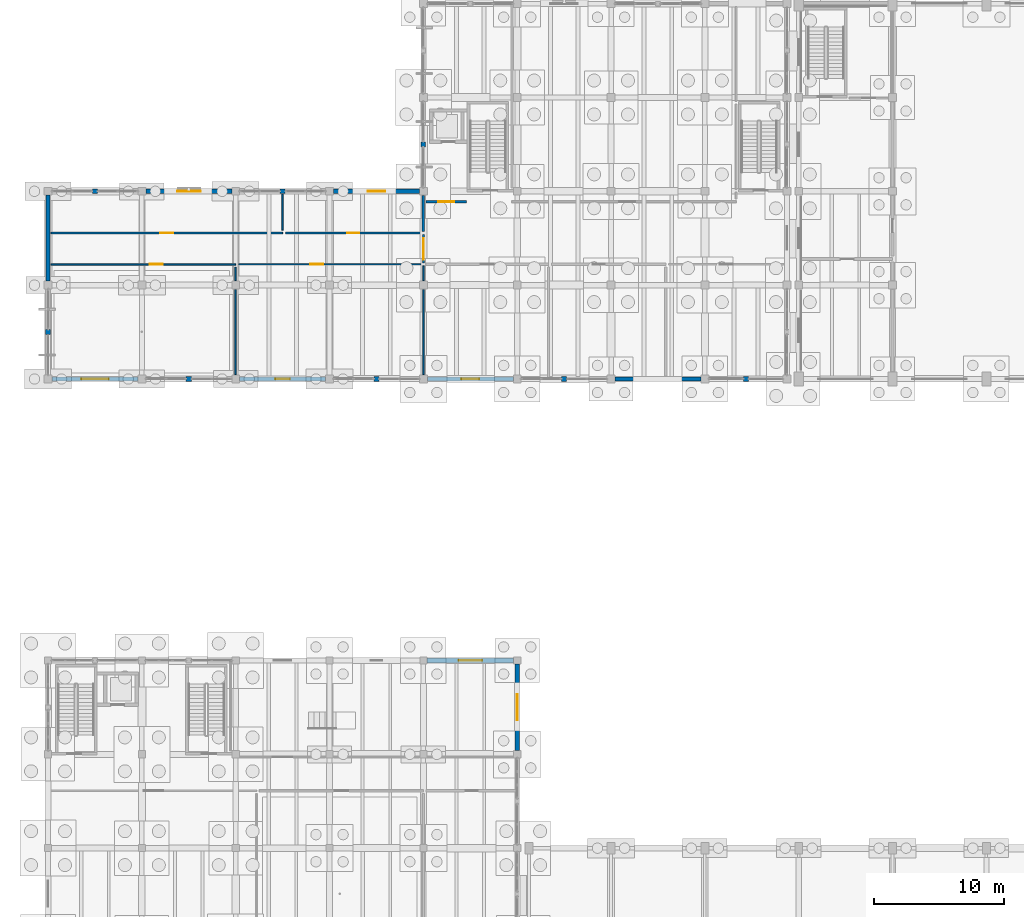
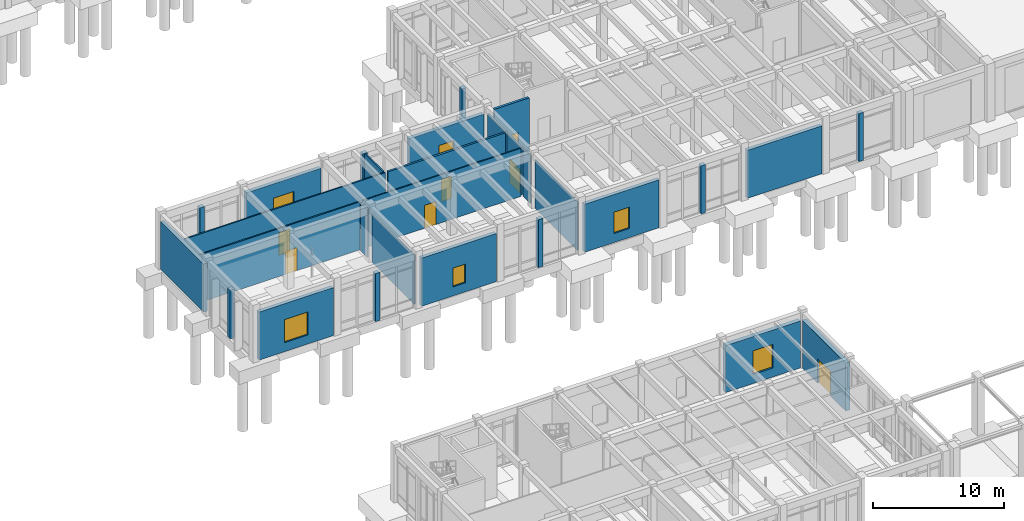
# One storey, part 63 of 93: 29 walls, 7 doors, 6 windows, 13 openings.
"""IFC4 building model written with IfcOpenShell, lengths in metres."""

from ifc_helpers import new_model, si_unit, direction, frame, frame_2d, origin, place, context, subcontext, project, spatial, rectangle, extrude, material, layer, layer_set, type_object, element, fill, save


model = new_model("IFC4")

# Units and contexts
model_context = context("Model", 3, precision=1e-05, world=origin(), true_north=direction((0.0, 1.0)))
body_context = subcontext(model_context, "Body", "Model", "MODEL_VIEW")
ifc_project = project(units=[si_unit("LENGTHUNIT", "METRE"), si_unit("AREAUNIT", "SQUARE_METRE"), si_unit("VOLUMEUNIT", "CUBIC_METRE"), si_unit("PLANEANGLEUNIT", "RADIAN"), si_unit("MASSUNIT", "GRAM", prefix="KILO")], contexts=[model_context])

# Site, building, storey
site_placement = place(None, origin())
site = spatial("IfcSite", under=ifc_project, at=site_placement, CompositionType="ELEMENT")
building_placement = place(site_placement, origin())
building = spatial("IfcBuilding", under=site, at=building_placement, Name="Koriwan Promenade Central Fire Station", CompositionType="ELEMENT")
storey_placement = place(building_placement, origin())
storey = spatial("IfcBuildingStorey", under=building, at=storey_placement, Name="L00", CompositionType="ELEMENT", Elevation=0.0)

# Wall, opening, door
ifc_material_1 = material(Name="Natural sillar sandstone ashlar", Category="masonry")
ifc_layer_1 = layer(ifc_material_1, 0.360107421875, Name="Natural sillar sandstone ashlar")
ifc_layer_set_1 = layer_set([ifc_layer_1], Name="Natural sillar sandstone ashlar")
wall_type_1 = type_object("IfcWallType", Name="ExtWall_SillarBase_360", PredefinedType="SOLIDWALL", material=ifc_layer_set_1)
wall_1_placement = place(storey_placement, frame((36.0, 14.675048828125, 0.0), z_axis=(0.0, 0.0, 1.0), x_axis=(0.0, 1.0, 0.0)))
wall_1 = element("IfcWall", 1, at=wall_1_placement, inside=storey, type_object=wall_type_1, Name="V3 L00 exterior wall 113", PredefinedType="SOLIDWALL", context=body_context, shape_type="SweptSolid", body=[
    extrude(rectangle(XDim=6.64990234375, YDim=0.360107421875, at=frame_2d((3.324951171875, 0.0))), origin(), (0.0, 0.0, 1.0), 4.489990234375),
])
opening_1_placement = place(wall_1_placement, frame((2.324951171875, 0.0, 0.0)))
opening_1 = element("IfcOpeningElement", 2, at=opening_1_placement, cuts=wall_1, Name="Opening ED-018", PredefinedType="OPENING", context=body_context, shape_type="SweptSolid", body=[
    extrude(rectangle(XDim=2.0, YDim=2.300048828125, at=frame_2d((1.0, 1.14990234375))), frame((0.0, 0.19189453125, 0.0), z_axis=(0.0, -1.0, 0.0), x_axis=(1.0, 0.0, 0.0)), (0.0, 0.0, 1.0), 0.384033203125),
])
ifc_material_2 = material(Name="Aluminium EN AW-6063-T6 and laminated safety glass", Category="aluminium")
door_type_1 = type_object("IfcDoorType", Name="ExitDoorDouble_2000x2300", OperationType="DOUBLE_SWING_LEFT", PredefinedType="DOOR", material=ifc_material_2)
door_1_placement = place(opening_1_placement, frame((2.0, 0.0, 0.0), z_axis=(0.0, 0.0, 1.0), x_axis=(-1.0, 0.0, 0.0)))
door_1 = element("IfcDoor", 3, at=door_1_placement, inside=storey, type_object=door_type_1, Name="V3 Final Pedestrian Exit Door ED-018", OperationType="DOUBLE_SWING_LEFT", OverallHeight=2.300048828125, OverallWidth=2.0, PredefinedType="DOOR", context=body_context, shape_type="SweptSolid", body=[
    extrude(rectangle(XDim=2.0, YDim=2.300048828125, at=frame_2d((1.0, 1.14990234375))), frame((0.0, 0.02490234375, 0.0), z_axis=(0.0, -1.0, 0.0), x_axis=(1.0, 0.0, 0.0)), (0.0, 0.0, 1.0), 0.050048828125),
])
fill(opening_1, door_1)

# Wall, opening, window
wall_2_placement = place(storey_placement, frame((35.72509765625, 21.60009765625, 0.0), z_axis=(0.0, 0.0, 1.0), x_axis=(-1.0, 0.0, 0.0)))
wall_2 = element("IfcWall", 4, at=wall_2_placement, inside=storey, type_object=wall_type_1, Name="V3 L00 exterior wall 114", PredefinedType="SOLIDWALL", context=body_context, shape_type="SweptSolid", body=[
    extrude(rectangle(XDim=6.650146484375, YDim=0.360107421875, at=frame_2d((3.3251953125, 0.0))), origin(), (0.0, 0.0, 1.0), 4.389892578125),
])
opening_2_placement = place(wall_2_placement, frame((2.425048828125, 0.0, 0.85009765625)))
opening_2 = element("IfcOpeningElement", 5, at=opening_2_placement, cuts=wall_2, Name="Opening W-03", PredefinedType="OPENING", context=body_context, shape_type="SweptSolid", body=[
    extrude(rectangle(XDim=1.800048828125, YDim=2.199951171875, at=frame_2d((0.89990234375, 1.10009765625))), frame((0.0, 0.19189453125, 0.0), z_axis=(0.0, -1.0, 0.0), x_axis=(1.0, 0.0, 0.0)), (0.0, 0.0, 1.0), 0.384033203125),
])
ifc_material_3 = material(Name="Solar-control low-E laminated double glazing", Category="glass")
window_type_1 = type_object("IfcWindowType", Name="Win_Jharokha_1800x2200", PartitioningType="SINGLE_PANEL", PredefinedType="WINDOW", material=ifc_material_3)
window_1_placement = place(opening_2_placement, origin())
window_1 = element("IfcWindow", 6, at=window_1_placement, inside=storey, type_object=window_type_1, Name="V3 L00 window 0047", OverallHeight=2.199951171875, OverallWidth=1.800048828125, PartitioningType="SINGLE_PANEL", PredefinedType="WINDOW", context=body_context, shape_type="SweptSolid", body=[
    extrude(rectangle(XDim=1.800048828125, YDim=2.199951171875, at=frame_2d((0.89990234375, 1.10009765625))), frame((0.0, 0.030029296875, 0.0), z_axis=(0.0, -1.0, 0.0), x_axis=(1.0, 0.0, 0.0)), (0.0, 0.0, 1.0), 0.06005859375),
])
fill(opening_2, window_1)

# Walls
wall_3_placement = place(storey_placement, frame((0.0, 46.60009765625, 0.0), z_axis=(0.0, 0.0, 1.0), x_axis=(0.0, 1.0, 0.0)))
element("IfcWall", 7, at=wall_3_placement, inside=storey, type_object=wall_type_1, Name="V4 L00 sillar facade mullion pier 153", PredefinedType="SOLIDWALL", context=body_context, shape_type="SweptSolid", body=[
    extrude(rectangle(XDim=0.39990234375, YDim=0.360107421875, at=frame_2d((0.199951171875, 0.0))), origin(), (0.0, 0.0, 1.0), 4.5400390625),
])
wall_4_placement = place(storey_placement, frame((3.39990234375, 57.60009765625, 0.0), z_axis=(0.0, 0.0, 1.0), x_axis=(1.0, 0.0, 0.0)))
element("IfcWall", 8, at=wall_4_placement, inside=storey, type_object=wall_type_1, Name="V4 L00 sillar facade mullion pier 155", PredefinedType="SOLIDWALL", context=body_context, shape_type="SweptSolid", body=[
    extrude(rectangle(XDim=0.400146484375, YDim=0.360107421875, at=frame_2d((0.2001953125, 0.0))), origin(), (0.0, 0.0, 1.0), 4.43994140625),
])
wall_5_placement = place(storey_placement, frame((17.800048828125, 57.60009765625, 0.0), z_axis=(0.0, 0.0, 1.0), x_axis=(1.0, 0.0, 0.0)))
element("IfcWall", 9, at=wall_5_placement, inside=storey, type_object=wall_type_1, Name="V4 L00 sillar facade mullion pier 157", PredefinedType="SOLIDWALL", context=body_context, shape_type="SweptSolid", body=[
    extrude(rectangle(XDim=0.39990234375, YDim=0.360107421875, at=frame_2d((0.199951171875, 0.0))), origin(), (0.0, 0.0, 1.0), 4.449951171875),
])
wall_6_placement = place(storey_placement, frame((28.800048828125, 61.0, 0.0), z_axis=(0.0, 0.0, 1.0), x_axis=(0.0, 1.0, 0.0)))
element("IfcWall", 10, at=wall_6_placement, inside=storey, type_object=wall_type_1, Name="V4 L00 sillar facade mullion pier 159", PredefinedType="SOLIDWALL", context=body_context, shape_type="SweptSolid", body=[
    extrude(rectangle(XDim=0.39990234375, YDim=0.360107421875, at=frame_2d((0.199951171875, 0.0))), origin(), (0.0, 0.0, 1.0), 4.5400390625),
])
wall_7_placement = place(storey_placement, frame((53.75, 43.199951171875, 0.0), z_axis=(0.0, 0.0, 1.0), x_axis=(-1.0, 0.0, 0.0)))
element("IfcWall", 11, at=wall_7_placement, inside=storey, type_object=wall_type_1, Name="V4 L00 sillar facade mullion pier 169", PredefinedType="SOLIDWALL", context=body_context, shape_type="SweptSolid", body=[
    extrude(rectangle(XDim=0.39990234375, YDim=0.360107421875, at=frame_2d((0.199951171875, 0.0))), origin(), (0.0, 0.0, 1.0), 4.489990234375),
])
wall_8_placement = place(storey_placement, frame((39.800048828125, 43.199951171875, 0.0), z_axis=(0.0, 0.0, 1.0), x_axis=(-1.0, 0.0, 0.0)))
element("IfcWall", 12, at=wall_8_placement, inside=storey, type_object=wall_type_1, Name="V4 L00 sillar facade mullion pier 171", PredefinedType="SOLIDWALL", context=body_context, shape_type="SweptSolid", body=[
    extrude(rectangle(XDim=0.400146484375, YDim=0.360107421875, at=frame_2d((0.2001953125, 0.0))), origin(), (0.0, 0.0, 1.0), 4.489990234375),
])
wall_9_placement = place(storey_placement, frame((25.39990234375, 43.199951171875, 0.0), z_axis=(0.0, 0.0, 1.0), x_axis=(-1.0, 0.0, 0.0)))
element("IfcWall", 13, at=wall_9_placement, inside=storey, type_object=wall_type_1, Name="V4 L00 sillar facade mullion pier 173", PredefinedType="SOLIDWALL", context=body_context, shape_type="SweptSolid", body=[
    extrude(rectangle(XDim=0.39990234375, YDim=0.360107421875, at=frame_2d((0.199951171875, 0.0))), origin(), (0.0, 0.0, 1.0), 4.5),
])
wall_10_placement = place(storey_placement, frame((11.0, 43.199951171875, 0.0), z_axis=(0.0, 0.0, 1.0), x_axis=(-1.0, 0.0, 0.0)))
element("IfcWall", 14, at=wall_10_placement, inside=storey, type_object=wall_type_1, Name="V4 L00 sillar facade mullion pier 175", PredefinedType="SOLIDWALL", context=body_context, shape_type="SweptSolid", body=[
    extrude(rectangle(XDim=0.39990234375, YDim=0.360107421875, at=frame_2d((0.199951171875, 0.0))), origin(), (0.0, 0.0, 1.0), 4.489990234375),
])
ifc_material_4 = material(Name="Precast concrete C40/50", Category="concrete")
ifc_layer_2 = layer(ifc_material_4, 0.320068359375, Name="Precast concrete C40/50")
ifc_layer_set_2 = layer_set([ifc_layer_2], Name="Precast concrete C40/50")
wall_type_2 = type_object("IfcWallType", Name="ExtWall_Terracotta_320", PredefinedType="ELEMENTEDWALL", material=ifc_layer_set_2)
wall_11_placement = place(storey_placement, frame((0.0, 50.699951171875, 0.0), z_axis=(0.0, 0.0, 1.0), x_axis=(0.0, 1.0, 0.0)))
element("IfcWall", 15, at=wall_11_placement, inside=storey, type_object=wall_type_2, Name="V4 L00 exterior wall 154", PredefinedType="ELEMENTEDWALL", context=body_context, shape_type="SweptSolid", body=[
    extrude(rectangle(XDim=6.60009765625, YDim=0.320068359375, at=frame_2d((3.300048828125, 0.0))), origin(), (0.0, 0.0, 1.0), 4.489990234375),
])

# Wall, opening, window
wall_12_placement = place(storey_placement, frame((7.5, 57.60009765625, 0.0), z_axis=(0.0, 0.0, 1.0), x_axis=(1.0, 0.0, 0.0)))
wall_12 = element("IfcWall", 16, at=wall_12_placement, inside=storey, type_object=wall_type_2, Name="V4 L00 exterior wall 156", PredefinedType="ELEMENTEDWALL", context=body_context, shape_type="SweptSolid", body=[
    extrude(rectangle(XDim=6.60009765625, YDim=0.320068359375, at=frame_2d((3.300048828125, 0.0))), origin(), (0.0, 0.0, 1.0), 4.389892578125),
])
opening_3_placement = place(wall_12_placement, frame((2.39990234375, 0.0, 0.85009765625)))
opening_3 = element("IfcOpeningElement", 17, at=opening_3_placement, cuts=wall_12, Name="Opening W-03", PredefinedType="OPENING", context=body_context, shape_type="SweptSolid", body=[
    extrude(rectangle(XDim=1.800048828125, YDim=2.199951171875, at=frame_2d((0.89990234375, 1.10009765625))), frame((0.0, 0.171875, 0.0), z_axis=(0.0, -1.0, 0.0), x_axis=(1.0, 0.0, 0.0)), (0.0, 0.0, 1.0), 0.343994140625),
])
window_2_placement = place(opening_3_placement, origin())
window_2 = element("IfcWindow", 18, at=window_2_placement, inside=storey, type_object=window_type_1, Name="V4 L00 window 0066", OverallHeight=2.199951171875, OverallWidth=1.800048828125, PartitioningType="SINGLE_PANEL", PredefinedType="WINDOW", context=body_context, shape_type="SweptSolid", body=[
    extrude(rectangle(XDim=1.800048828125, YDim=2.199951171875, at=frame_2d((0.89990234375, 1.10009765625))), frame((0.0, 0.030029296875, 0.0), z_axis=(0.0, -1.0, 0.0), x_axis=(1.0, 0.0, 0.0)), (0.0, 0.0, 1.0), 0.06005859375),
])
fill(opening_3, window_2)

wall_13_placement = place(storey_placement, frame((21.89990234375, 57.60009765625, 0.0), z_axis=(0.0, 0.0, 1.0), x_axis=(1.0, 0.0, 0.0)))
wall_13 = element("IfcWall", 19, at=wall_13_placement, inside=storey, type_object=wall_type_2, Name="V4 L00 exterior wall 158", PredefinedType="ELEMENTEDWALL", context=body_context, shape_type="SweptSolid", body=[
    extrude(rectangle(XDim=6.60009765625, YDim=0.320068359375, at=frame_2d((3.300048828125, 0.0))), origin(), (0.0, 0.0, 1.0), 4.39990234375),
])
opening_4_placement = place(wall_13_placement, frame((2.625, 0.0, 0.85009765625)))
opening_4 = element("IfcOpeningElement", 20, at=opening_4_placement, cuts=wall_13, Name="Opening W-05", PredefinedType="OPENING", context=body_context, shape_type="SweptSolid", body=[
    extrude(rectangle(XDim=1.35009765625, YDim=2.0, at=frame_2d((0.675048828125, 1.0))), frame((0.0, 0.171875, 0.0), z_axis=(0.0, -1.0, 0.0), x_axis=(1.0, 0.0, 0.0)), (0.0, 0.0, 1.0), 0.343994140625),
])
window_type_2 = type_object("IfcWindowType", Name="Win_HQ_1350x2000", PartitioningType="SINGLE_PANEL", PredefinedType="WINDOW", material=ifc_material_3)
window_3_placement = place(opening_4_placement, origin())
window_3 = element("IfcWindow", 21, at=window_3_placement, inside=storey, type_object=window_type_2, Name="V4 L00 window 0067", OverallHeight=2.0, OverallWidth=1.35009765625, PartitioningType="SINGLE_PANEL", PredefinedType="WINDOW", context=body_context, shape_type="SweptSolid", body=[
    extrude(rectangle(XDim=1.35009765625, YDim=2.0, at=frame_2d((0.675048828125, 1.0))), frame((0.0, 0.030029296875, 0.0), z_axis=(0.0, -1.0, 0.0), x_axis=(1.0, 0.0, 0.0)), (0.0, 0.0, 1.0), 0.06005859375),
])
fill(opening_4, window_3)

# Wall
wall_14_placement = place(storey_placement, frame((50.10009765625, 43.199951171875, 0.0), z_axis=(0.0, 0.0, 1.0), x_axis=(-1.0, 0.0, 0.0)))
element("IfcWall", 22, at=wall_14_placement, inside=storey, type_object=wall_type_2, Name="V4 L00 exterior wall 170", PredefinedType="ELEMENTEDWALL", context=body_context, shape_type="SweptSolid", body=[
    extrude(rectangle(XDim=6.60009765625, YDim=0.320068359375, at=frame_2d((3.300048828125, 0.0))), origin(), (0.0, 0.0, 1.0), 4.489990234375),
])

# Wall, opening, window
wall_15_placement = place(storey_placement, frame((35.699951171875, 43.199951171875, 0.0), z_axis=(0.0, 0.0, 1.0), x_axis=(-1.0, 0.0, 0.0)))
wall_15 = element("IfcWall", 23, at=wall_15_placement, inside=storey, type_object=wall_type_2, Name="V4 L00 exterior wall 172", PredefinedType="ELEMENTEDWALL", context=body_context, shape_type="SweptSolid", body=[
    extrude(rectangle(XDim=6.599853515625, YDim=0.320068359375, at=frame_2d((3.2998046875, 0.0))), origin(), (0.0, 0.0, 1.0), 4.489990234375),
])
opening_5_placement = place(wall_15_placement, frame((2.625, 0.0, 0.85009765625)))
opening_5 = element("IfcOpeningElement", 24, at=opening_5_placement, cuts=wall_15, Name="Opening W-05", PredefinedType="OPENING", context=body_context, shape_type="SweptSolid", body=[
    extrude(rectangle(XDim=1.35009765625, YDim=2.0, at=frame_2d((0.675048828125, 1.0))), frame((0.0, 0.171875, 0.0), z_axis=(0.0, -1.0, 0.0), x_axis=(1.0, 0.0, 0.0)), (0.0, 0.0, 1.0), 0.343994140625),
])
window_4_placement = place(opening_5_placement, origin())
window_4 = element("IfcWindow", 25, at=window_4_placement, inside=storey, type_object=window_type_2, Name="V4 L00 window 0069", OverallHeight=2.0, OverallWidth=1.35009765625, PartitioningType="SINGLE_PANEL", PredefinedType="WINDOW", context=body_context, shape_type="SweptSolid", body=[
    extrude(rectangle(XDim=1.35009765625, YDim=2.0, at=frame_2d((0.675048828125, 1.0))), frame((0.0, 0.030029296875, 0.0), z_axis=(0.0, -1.0, 0.0), x_axis=(1.0, 0.0, 0.0)), (0.0, 0.0, 1.0), 0.06005859375),
])
fill(opening_5, window_4)

wall_16_placement = place(storey_placement, frame((21.300048828125, 43.199951171875, 0.0), z_axis=(0.0, 0.0, 1.0), x_axis=(-1.0, 0.0, 0.0)))
wall_16 = element("IfcWall", 26, at=wall_16_placement, inside=storey, type_object=wall_type_2, Name="V4 L00 exterior wall 174", PredefinedType="ELEMENTEDWALL", context=body_context, shape_type="SweptSolid", body=[
    extrude(rectangle(XDim=6.60009765625, YDim=0.320068359375, at=frame_2d((3.300048828125, 0.0))), origin(), (0.0, 0.0, 1.0), 4.5),
])
opening_6_placement = place(wall_16_placement, frame((2.75, 0.0, 0.85009765625)))
opening_6 = element("IfcOpeningElement", 27, at=opening_6_placement, cuts=wall_16, Name="Opening W-09", PredefinedType="OPENING", context=body_context, shape_type="SweptSolid", body=[
    extrude(rectangle(XDim=1.10009765625, YDim=1.75, at=frame_2d((0.550048828125, 0.875))), frame((0.0, 0.171875, 0.0), z_axis=(0.0, -1.0, 0.0), x_axis=(1.0, 0.0, 0.0)), (0.0, 0.0, 1.0), 0.343994140625),
])
window_type_3 = type_object("IfcWindowType", Name="Win_Drill_1100x1750", PartitioningType="SINGLE_PANEL", PredefinedType="WINDOW", material=ifc_material_3)
window_5_placement = place(opening_6_placement, origin())
window_5 = element("IfcWindow", 28, at=window_5_placement, inside=storey, type_object=window_type_3, Name="V4 L00 window 0070", OverallHeight=1.75, OverallWidth=1.10009765625, PartitioningType="SINGLE_PANEL", PredefinedType="WINDOW", context=body_context, shape_type="SweptSolid", body=[
    extrude(rectangle(XDim=1.10009765625, YDim=1.75, at=frame_2d((0.550048828125, 0.875))), frame((0.0, 0.030029296875, 0.0), z_axis=(0.0, -1.0, 0.0), x_axis=(1.0, 0.0, 0.0)), (0.0, 0.0, 1.0), 0.06005859375),
])
fill(opening_6, window_5)

wall_17_placement = place(storey_placement, frame((6.89990234375, 43.199951171875, 0.0), z_axis=(0.0, 0.0, 1.0), x_axis=(-1.0, 0.0, 0.0)))
wall_17 = element("IfcWall", 29, at=wall_17_placement, inside=storey, type_object=wall_type_2, Name="V4 L00 exterior wall 176", PredefinedType="ELEMENTEDWALL", context=body_context, shape_type="SweptSolid", body=[
    extrude(rectangle(XDim=6.599853515625, YDim=0.320068359375, at=frame_2d((3.2998046875, 0.0))), origin(), (0.0, 0.0, 1.0), 4.489990234375),
])
opening_7_placement = place(wall_17_placement, frame((2.25, 0.0, 0.85009765625)))
opening_7 = element("IfcOpeningElement", 30, at=opening_7_placement, cuts=wall_17, Name="Opening W-11", PredefinedType="OPENING", context=body_context, shape_type="SweptSolid", body=[
    extrude(rectangle(XDim=2.10009765625, YDim=2.14990234375, at=frame_2d((1.050048828125, 1.074951171875))), frame((0.0, 0.171875, 0.0), z_axis=(0.0, -1.0, 0.0), x_axis=(1.0, 0.0, 0.0)), (0.0, 0.0, 1.0), 0.343994140625),
])
window_type_4 = type_object("IfcWindowType", Name="Win_Pavilion_2100x2150", PartitioningType="SINGLE_PANEL", PredefinedType="WINDOW", material=ifc_material_3)
window_6_placement = place(opening_7_placement, origin())
window_6 = element("IfcWindow", 31, at=window_6_placement, inside=storey, type_object=window_type_4, Name="V4 L00 window 0071", OverallHeight=2.14990234375, OverallWidth=2.10009765625, PartitioningType="SINGLE_PANEL", PredefinedType="WINDOW", context=body_context, shape_type="SweptSolid", body=[
    extrude(rectangle(XDim=2.10009765625, YDim=2.14990234375, at=frame_2d((1.050048828125, 1.074951171875))), frame((0.0, 0.030029296875, 0.0), z_axis=(0.0, -1.0, 0.0), x_axis=(1.0, 0.0, 0.0)), (0.0, 0.0, 1.0), 0.06005859375),
])
fill(opening_7, window_6)

# Wall, opening, door
ifc_material_5 = material(Name="Gypsum board acoustic stud partition", Category="gypsum")
ifc_layer_3 = layer(ifc_material_5, 0.10009765625, Name="Gypsum board acoustic stud partition")
ifc_layer_set_3 = layer_set([ifc_layer_3], Name="Gypsum board acoustic stud partition")
wall_type_3 = type_object("IfcWallType", Name="IntWall_Drywall_100", PredefinedType="PARTITIONING", material=ifc_layer_set_3)
wall_18_placement = place(storey_placement, frame((14.6201171875, 52.0, 0.0), z_axis=(0.0, 0.0, 1.0), x_axis=(1.0, 0.0, 0.0)))
wall_18 = element("IfcWall", 32, at=wall_18_placement, inside=storey, type_object=wall_type_3, Name="Triage and Paramedic Supply Room partition N", PredefinedType="PARTITIONING", context=body_context, shape_type="SweptSolid", body=[
    extrude(rectangle(XDim=13.984130859375, YDim=0.10009765625, at=frame_2d((6.9921875, 0.0))), origin(), (0.0, 0.0, 1.0), 4.498046875),
])
opening_8_placement = place(wall_18_placement, frame((5.4921875, 0.0, 0.0)))
opening_8 = element("IfcOpeningElement", 33, at=opening_8_placement, cuts=wall_18, Name="Opening D-086", PredefinedType="OPENING", context=body_context, shape_type="SweptSolid", body=[
    extrude(rectangle(XDim=1.0, YDim=2.14990234375, at=frame_2d((0.5, 1.074951171875))), frame((0.0, 0.06201171875, 0.0), z_axis=(0.0, -1.0, 0.0), x_axis=(1.0, 0.0, 0.0)), (0.0, 0.0, 1.0), 0.1240234375),
])
ifc_material_6 = material(Name="Hardwood veneer solid-core timber", Category="wood")
door_type_2 = type_object("IfcDoorType", Name="RoomDoor_Office_1000x2150", OperationType="NOTDEFINED", PredefinedType="DOOR", material=ifc_material_6)
door_2_placement = place(opening_8_placement, origin())
door_2 = element("IfcDoor", 34, at=door_2_placement, inside=storey, type_object=door_type_2, Name="Triage and Paramedic Supply Room Door D-086", OperationType="SINGLE_SWING_RIGHT", OverallHeight=2.14990234375, OverallWidth=1.0, PredefinedType="DOOR", context=body_context, shape_type="SweptSolid", body=[
    extrude(rectangle(XDim=1.0, YDim=2.14990234375, at=frame_2d((0.5, 1.074951171875))), frame((0.0, 0.02490234375, 0.0), z_axis=(0.0, -1.0, 0.0), x_axis=(1.0, 0.0, 0.0)), (0.0, 0.0, 1.0), 0.050048828125),
])
fill(opening_8, door_2)

# Walls
wall_19_placement = place(storey_placement, frame((28.800048828125, 43.5400390625, 0.0), z_axis=(0.0, 0.0, 1.0), x_axis=(0.0, 1.0, 0.0)))
element("IfcWall", 35, at=wall_19_placement, inside=storey, type_object=wall_type_3, Name="Triage and Paramedic Supply Room partition E", PredefinedType="PARTITIONING", context=body_context, shape_type="SweptSolid", body=[
    extrude(rectangle(XDim=6.52001953125, YDim=0.10009765625, at=frame_2d((3.260009765625, 0.0))), origin(), (0.0, 0.0, 1.0), 4.5380859375),
])
wall_20_placement = place(storey_placement, frame((28.800048828125, 50.739990234375, 0.0), z_axis=(0.0, 0.0, 1.0), x_axis=(0.0, 1.0, 0.0)))
element("IfcWall", 36, at=wall_20_placement, inside=storey, type_object=wall_type_3, Name="Triage and Paramedic Supply Room partition E", PredefinedType="PARTITIONING", context=body_context, shape_type="SweptSolid", body=[
    extrude(rectangle(XDim=1.139892578125, YDim=0.10009765625, at=frame_2d((0.56982421875, 0.0))), origin(), (0.0, 0.0, 1.0), 4.488037109375),
])

# Wall, opening, door
ifc_layer_4 = layer(ifc_material_5, 0.1201171875, Name="Gypsum board acoustic stud partition")
ifc_layer_set_4 = layer_set([ifc_layer_4], Name="Gypsum board acoustic stud partition")
wall_type_4 = type_object("IfcWallType", Name="IntWall_Drywall_120", PredefinedType="PARTITIONING", material=ifc_layer_set_4)
wall_21_placement = place(storey_placement, frame((0.219970703125, 52.0, 0.0), z_axis=(0.0, 0.0, 1.0), x_axis=(1.0, 0.0, 0.0)))
wall_21 = element("IfcWall", 37, at=wall_21_placement, inside=storey, type_object=wall_type_4, Name="Station Watch Room and Turnout Desk partition N", PredefinedType="PARTITIONING", context=body_context, shape_type="SweptSolid", body=[
    extrude(rectangle(XDim=14.179931640625, YDim=0.1201171875, at=frame_2d((7.08984375, 0.0))), origin(), (0.0, 0.0, 1.0), 4.488037109375),
])
opening_9_placement = place(wall_21_placement, frame((7.590087890625, 0.0, 0.0)))
opening_9 = element("IfcOpeningElement", 38, at=opening_9_placement, cuts=wall_21, Name="Opening D-085", PredefinedType="OPENING", context=body_context, shape_type="SweptSolid", body=[
    extrude(rectangle(XDim=1.0, YDim=2.14990234375, at=frame_2d((0.5, 1.074951171875))), frame((0.0, 0.072021484375, 0.0), z_axis=(0.0, -1.0, 0.0), x_axis=(1.0, 0.0, 0.0)), (0.0, 0.0, 1.0), 0.14404296875),
])
door_3_placement = place(opening_9_placement, origin())
door_3 = element("IfcDoor", 39, at=door_3_placement, inside=storey, type_object=door_type_2, Name="Station Watch Room and Turnout Desk Door D-085", OperationType="SINGLE_SWING_LEFT", OverallHeight=2.14990234375, OverallWidth=1.0, PredefinedType="DOOR", context=body_context, shape_type="SweptSolid", body=[
    extrude(rectangle(XDim=1.0, YDim=2.14990234375, at=frame_2d((0.5, 1.074951171875))), frame((0.0, 0.02490234375, 0.0), z_axis=(0.0, -1.0, 0.0), x_axis=(1.0, 0.0, 0.0)), (0.0, 0.0, 1.0), 0.050048828125),
])
fill(opening_9, door_3)

# Walls
wall_22_placement = place(storey_placement, frame((14.39990234375, 43.5400390625, 0.0), z_axis=(0.0, 0.0, 1.0), x_axis=(0.0, 1.0, 0.0)))
element("IfcWall", 40, at=wall_22_placement, inside=storey, type_object=wall_type_4, Name="Station Watch Room and Turnout Desk partition E", PredefinedType="PARTITIONING", context=body_context, shape_type="SweptSolid", body=[
    extrude(rectangle(XDim=6.52001953125, YDim=0.1201171875, at=frame_2d((3.260009765625, 0.0))), origin(), (0.0, 0.0, 1.0), 4.548095703125),
])
wall_23_placement = place(storey_placement, frame((14.39990234375, 50.739990234375, 0.0), z_axis=(0.0, 0.0, 1.0), x_axis=(0.0, 1.0, 0.0)))
element("IfcWall", 41, at=wall_23_placement, inside=storey, type_object=wall_type_4, Name="Station Watch Room and Turnout Desk partition E", PredefinedType="PARTITIONING", context=body_context, shape_type="SweptSolid", body=[
    extrude(rectangle(XDim=1.0400390625, YDim=0.1201171875, at=frame_2d((0.52001953125, 0.0))), origin(), (0.0, 0.0, 1.0), 4.498046875),
])

# Wall, opening, door
wall_24_placement = place(storey_placement, frame((0.219970703125, 54.39990234375, 0.0), z_axis=(0.0, 0.0, 1.0), x_axis=(1.0, 0.0, 0.0)))
wall_24 = element("IfcWall", 42, at=wall_24_placement, inside=storey, type_object=wall_type_4, Name="Staff Cycle and Fitness Prep Room partition S", PredefinedType="PARTITIONING", context=body_context, shape_type="SweptSolid", body=[
    extrude(rectangle(XDim=17.780029296875, YDim=0.1201171875, at=frame_2d((8.89013671875, 0.0))), origin(), (0.0, 0.0, 1.0), 4.488037109375),
])
opening_10_placement = place(wall_24_placement, frame((8.389892578125, 0.0, 0.0)))
opening_10 = element("IfcOpeningElement", 43, at=opening_10_placement, cuts=wall_24, Name="Opening D-087", PredefinedType="OPENING", context=body_context, shape_type="SweptSolid", body=[
    extrude(rectangle(XDim=1.0, YDim=2.14990234375, at=frame_2d((0.5, 1.074951171875))), frame((0.0, 0.072021484375, 0.0), z_axis=(0.0, -1.0, 0.0), x_axis=(1.0, 0.0, 0.0)), (0.0, 0.0, 1.0), 0.14404296875),
])
door_4_placement = place(opening_10_placement, origin())
door_4 = element("IfcDoor", 44, at=door_4_placement, inside=storey, type_object=door_type_2, Name="Staff Cycle and Fitness Prep Room Door D-087", OperationType="SINGLE_SWING_LEFT", OverallHeight=2.14990234375, OverallWidth=1.0, PredefinedType="DOOR", context=body_context, shape_type="SweptSolid", body=[
    extrude(rectangle(XDim=1.0, YDim=2.14990234375, at=frame_2d((0.5, 1.074951171875))), frame((0.0, 0.02490234375, 0.0), z_axis=(0.0, -1.0, 0.0), x_axis=(1.0, 0.0, 0.0)), (0.0, 0.0, 1.0), 0.050048828125),
])
fill(opening_10, door_4)

# Wall
wall_25_placement = place(storey_placement, frame((18.0, 54.6201171875, 0.0), z_axis=(0.0, 0.0, 1.0), x_axis=(0.0, 1.0, 0.0)))
element("IfcWall", 45, at=wall_25_placement, inside=storey, type_object=wall_type_4, Name="Staff Cycle and Fitness Prep Room partition E", PredefinedType="PARTITIONING", context=body_context, shape_type="SweptSolid", body=[
    extrude(rectangle(XDim=2.759765625, YDim=0.1201171875, at=frame_2d((1.3798828125, 0.0))), origin(), (0.0, 0.0, 1.0), 4.447998046875),
])

# Wall, opening, door
ifc_material_7 = material(Name="Concrete C35/45 compartment wall", Category="concrete")
ifc_layer_5 = layer(ifc_material_7, 0.219970703125, Name="Concrete C35/45 compartment wall")
ifc_layer_set_5 = layer_set([ifc_layer_5], Name="Concrete C35/45 compartment wall")
wall_type_5 = type_object("IfcWallType", Name="IntWall_Plant_220", PredefinedType="STANDARD", material=ifc_layer_set_5)
wall_26_placement = place(storey_placement, frame((29.02001953125, 56.800048828125, 0.0), z_axis=(0.0, 0.0, 1.0), x_axis=(1.0, 0.0, 0.0)))
wall_26 = element("IfcWall", 46, at=wall_26_placement, inside=storey, type_object=wall_type_5, Name="Crew Wing Lift Lobby L00 partition S", PredefinedType="STANDARD", context=body_context, shape_type="SweptSolid", body=[
    extrude(rectangle(XDim=3.080078125, YDim=0.219970703125, at=frame_2d((1.5400390625, 0.0))), origin(), (0.0, 0.0, 1.0), 5.1201171875),
])
opening_11_placement = place(wall_26_placement, frame((0.93994140625, 0.0, 0.0)))
opening_11 = element("IfcOpeningElement", 47, at=opening_11_placement, cuts=wall_26, Name="Opening D-089", PredefinedType="OPENING", context=body_context, shape_type="SweptSolid", body=[
    extrude(rectangle(XDim=1.199951171875, YDim=2.199951171875, at=frame_2d((0.60009765625, 1.10009765625))), frame((0.0, 0.1220703125, 0.0), z_axis=(0.0, -1.0, 0.0), x_axis=(1.0, 0.0, 0.0)), (0.0, 0.0, 1.0), 0.243896484375),
])
ifc_material_8 = material(Name="Painted galvanized fire-door steel", Category="steel")
door_type_3 = type_object("IfcDoorType", Name="FireDoor_Lobby_1200x2200", OperationType="NOTDEFINED", PredefinedType="DOOR", material=ifc_material_8)
door_5_placement = place(opening_11_placement, origin())
door_5 = element("IfcDoor", 48, at=door_5_placement, inside=storey, type_object=door_type_3, Name="Crew Wing Lift Lobby L00 Door D-089", OperationType="SINGLE_SWING_LEFT", OverallHeight=2.199951171875, OverallWidth=1.199951171875, PredefinedType="DOOR", context=body_context, shape_type="SweptSolid", body=[
    extrude(rectangle(XDim=1.199951171875, YDim=2.199951171875, at=frame_2d((0.60009765625, 1.10009765625))), frame((0.0, 0.02490234375, 0.0), z_axis=(0.0, -1.0, 0.0), x_axis=(1.0, 0.0, 0.0)), (0.0, 0.0, 1.0), 0.050048828125),
])
fill(opening_11, door_5)

ifc_material_9 = material(Name="Moisture-resistant sanitary chase wall", Category="gypsum")
ifc_layer_6 = layer(ifc_material_9, 0.179931640625, Name="Moisture-resistant sanitary chase wall")
ifc_layer_set_6 = layer_set([ifc_layer_6], Name="Moisture-resistant sanitary chase wall")
wall_type_6 = type_object("IfcWallType", Name="IntWall_Plumbing_180", PredefinedType="PLUMBINGWALL", material=ifc_layer_set_6)
wall_27_placement = place(storey_placement, frame((18.219970703125, 54.39990234375, 0.0), z_axis=(0.0, 0.0, 1.0), x_axis=(1.0, 0.0, 0.0)))
wall_27 = element("IfcWall", 49, at=wall_27_placement, inside=storey, type_object=wall_type_6, Name="Crew Ground Male Female and Accessible WCs partition S", PredefinedType="PLUMBINGWALL", context=body_context, shape_type="SweptSolid", body=[
    extrude(rectangle(XDim=10.38427734375, YDim=0.179931640625, at=frame_2d((5.192138671875, 0.0))), origin(), (0.0, 0.0, 1.0), 4.498046875),
])
opening_12_placement = place(wall_27_placement, frame((4.7421875, 0.0, 0.0)))
opening_12 = element("IfcOpeningElement", 50, at=opening_12_placement, cuts=wall_27, Name="Opening D-088", PredefinedType="OPENING", context=body_context, shape_type="SweptSolid", body=[
    extrude(rectangle(XDim=0.89990234375, YDim=2.10009765625, at=frame_2d((0.449951171875, 1.050048828125))), frame((0.0, 0.10205078125, 0.0), z_axis=(0.0, -1.0, 0.0), x_axis=(1.0, 0.0, 0.0)), (0.0, 0.0, 1.0), 0.203857421875),
])
ifc_material_10 = material(Name="High-pressure laminate moisture-resistant core", Category="wood")
door_type_4 = type_object("IfcDoorType", Name="RoomDoor_WC_900x2100", OperationType="NOTDEFINED", PredefinedType="DOOR", material=ifc_material_10)
door_6_placement = place(opening_12_placement, origin())
door_6 = element("IfcDoor", 51, at=door_6_placement, inside=storey, type_object=door_type_4, Name="Crew Ground Male Female and Accessible WCs Door D-088", OperationType="SINGLE_SWING_RIGHT", OverallHeight=2.10009765625, OverallWidth=0.89990234375, PredefinedType="DOOR", context=body_context, shape_type="SweptSolid", body=[
    extrude(rectangle(XDim=0.89990234375, YDim=2.10009765625, at=frame_2d((0.449951171875, 1.050048828125))), frame((0.0, 0.02490234375, 0.0), z_axis=(0.0, -1.0, 0.0), x_axis=(1.0, 0.0, 0.0)), (0.0, 0.0, 1.0), 0.050048828125),
])
fill(opening_12, door_6)

# Wall
wall_28_placement = place(storey_placement, frame((28.800048828125, 54.52001953125, 0.0), z_axis=(0.0, 0.0, 1.0), x_axis=(0.0, 1.0, 0.0)))
element("IfcWall", 52, at=wall_28_placement, inside=storey, type_object=wall_type_6, Name="Crew Ground Male Female and Accessible WCs partition E", PredefinedType="PLUMBINGWALL", context=body_context, shape_type="SweptSolid", body=[
    extrude(rectangle(XDim=2.739990234375, YDim=0.179931640625, at=frame_2d((1.3701171875, 0.0))), origin(), (0.0, 0.0, 1.0), 4.488037109375),
])

# Wall, opening, door
ifc_material_11 = material(Name="Fire-rated double gypsum stud partition", Category="gypsum")
ifc_layer_7 = layer(ifc_material_11, 0.139892578125, Name="Fire-rated double gypsum stud partition")
ifc_layer_set_7 = layer_set([ifc_layer_7], Name="Fire-rated double gypsum stud partition")
wall_type_7 = type_object("IfcWallType", Name="IntWall_Rated_140", PredefinedType="PARTITIONING", material=ifc_layer_set_7)
wall_29_placement = place(storey_placement, frame((28.800048828125, 52.10009765625, 0.0), z_axis=(0.0, 0.0, 1.0), x_axis=(0.0, 1.0, 0.0)))
wall_29 = element("IfcWall", 53, at=wall_29_placement, inside=storey, type_object=wall_type_7, Name="V4 west-to-main corridor link partition", PredefinedType="PARTITIONING", context=body_context, shape_type="SweptSolid", body=[
    extrude(rectangle(XDim=2.199951171875, YDim=0.139892578125, at=frame_2d((1.10009765625, 0.0))), origin(), (0.0, 0.0, 1.0), 4.488037109375),
])
opening_13_placement = place(wall_29_placement, frame((0.25, 0.0, 0.0)))
opening_13 = element("IfcOpeningElement", 54, at=opening_13_placement, cuts=wall_29, Name="Opening D-001", PredefinedType="OPENING", context=body_context, shape_type="SweptSolid", body=[
    extrude(rectangle(XDim=1.64990234375, YDim=2.199951171875, at=frame_2d((0.824951171875, 1.10009765625))), frame((0.0, 0.08203125, 0.0), z_axis=(0.0, -1.0, 0.0), x_axis=(1.0, 0.0, 0.0)), (0.0, 0.0, 1.0), 0.163818359375),
])
door_type_5 = type_object("IfcDoorType", Name="FireDoor_Double_1650x2200", OperationType="DOUBLE_SWING_LEFT", PredefinedType="DOOR", material=ifc_material_8)
door_7_placement = place(opening_13_placement, origin())
door_7 = element("IfcDoor", 55, at=door_7_placement, inside=storey, type_object=door_type_5, Name="V4 West Corridor Link Fire Door D-001", OperationType="DOUBLE_SWING_LEFT", OverallHeight=2.199951171875, OverallWidth=1.64990234375, PredefinedType="DOOR", context=body_context, shape_type="SweptSolid", body=[
    extrude(rectangle(XDim=1.64990234375, YDim=2.199951171875, at=frame_2d((0.824951171875, 1.10009765625))), frame((0.0, 0.02490234375, 0.0), z_axis=(0.0, -1.0, 0.0), x_axis=(1.0, 0.0, 0.0)), (0.0, 0.0, 1.0), 0.050048828125),
])
fill(opening_13, door_7)

save(model, "model.ifc")
